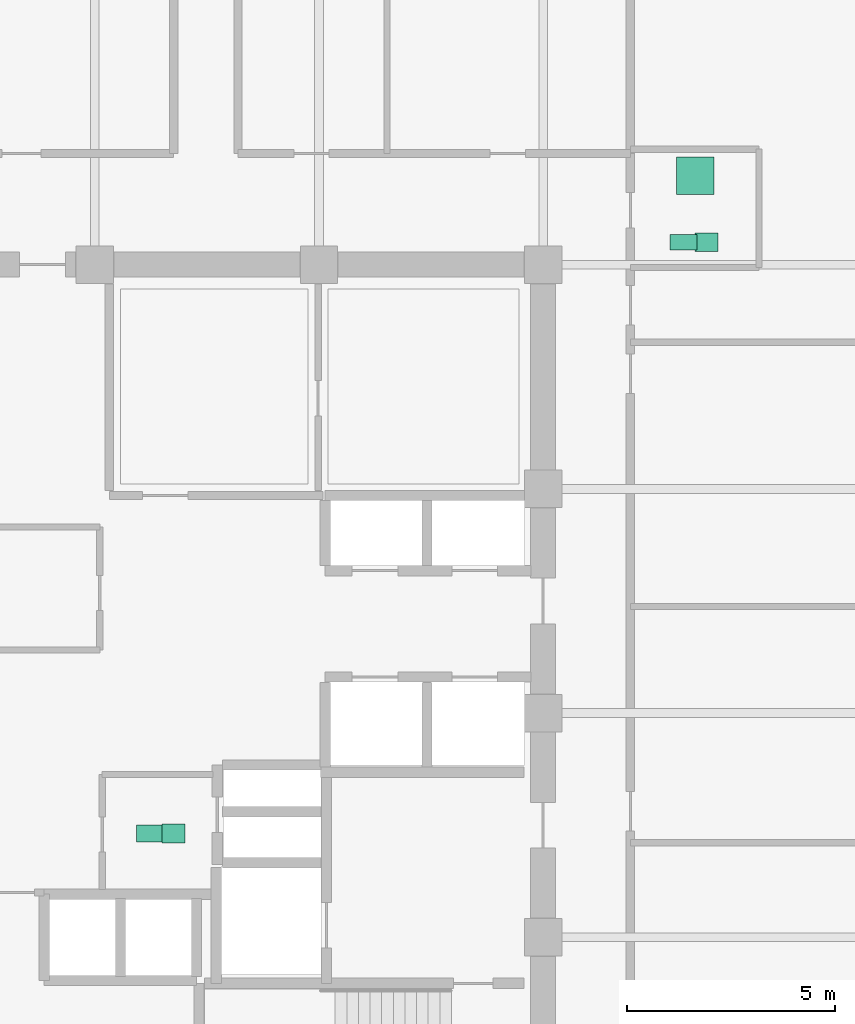
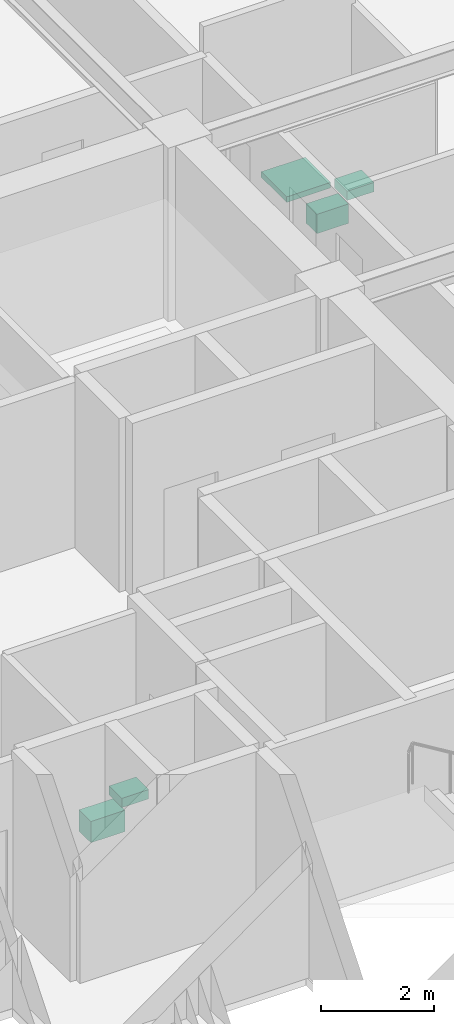
# One storey, part 30 of 30: 5 sanitary terminals.
"""IFC4 building model written with IfcOpenShell, lengths in metres."""

import ifcopenshell
import ifcopenshell.guid

model = None  # the IFC model being written
_history = None  # IfcOwnerHistory: only IFC2X3 demands one
_inside = {}  # id of a spatial element -> (the spatial element, [elements in it])
_under = {}  # id of a project, library or spatial element -> (it, [spatial elements below it])
_declared = {}  # id of a project -> (the project, [libraries it declares])
_typed = {}  # id of a type object -> (the type object, [elements of that type])
_made_of = {}  # id of a material, layer set ... -> (it, [elements and type objects made of it])


def new_model(schema):
    """Start an empty IFC model of exactly this schema.

    Asked for "IFC4X3", IfcOpenShell would pick the latest addendum, in which some entities
    have other attributes; the version numbers below select the first issue.
    IFC2X3 requires an IfcOwnerHistory on every rooted entity: one is made here for all.
    """
    global model, _history
    if schema == "IFC4X3":
        model = ifcopenshell.file(schema_version=(4, 3, 0, 0))
    else:
        model = ifcopenshell.file(schema=schema)
    _inside.clear()
    _under.clear()
    _declared.clear()
    _typed.clear()
    _made_of.clear()
    _history = None
    if model.schema == "IFC2X3":
        org = make("IfcOrganization", Name="unknown")
        user = make(
            "IfcPersonAndOrganization",
            ThePerson=make("IfcPerson", FamilyName="unknown"),
            TheOrganization=org,
        )
        app = make(
            "IfcApplication",
            ApplicationDeveloper=org,
            Version="unknown",
            ApplicationFullName="unknown",
            ApplicationIdentifier="unknown",
        )
        _history = make(
            "IfcOwnerHistory",
            OwningUser=user,
            OwningApplication=app,
            ChangeAction="ADDED",
            CreationDate=0,
        )
    return model


def make(cls, **values):
    """One entity of the class cls with the attributes given. An attribute that is None is left unset."""
    return model.create_entity(
        cls, **{name: value for name, value in values.items() if value is not None}
    )


def rooted(cls, **values):
    """An entity with a GlobalId (a new one), such as an element, a storey or a relation."""
    return make(cls, GlobalId=ifcopenshell.guid.new(), OwnerHistory=_history, **values)


def si_unit(unit_type, name, prefix=None):
    """IfcSIUnit, for example si_unit("LENGTHUNIT", "METRE", prefix="MILLI")."""
    return make("IfcSIUnit", UnitType=unit_type, Prefix=prefix, Name=name)


def assignment(units):
    """IfcUnitAssignment: the units of a project."""
    return None if units is None else make("IfcUnitAssignment", Units=units)


def point(xyz):
    """IfcCartesianPoint."""
    return None if xyz is None else make("IfcCartesianPoint", Coordinates=xyz)


def direction(xyz):
    """IfcDirection."""
    return None if xyz is None else make("IfcDirection", DirectionRatios=xyz)


def frame(location, z_axis=None, x_axis=None):
    """IfcAxis2Placement3D, a coordinate frame: its origin and axes. An axis left out is left unset."""
    return make(
        "IfcAxis2Placement3D",
        Location=point(location),
        Axis=direction(z_axis),
        RefDirection=direction(x_axis),
    )


def frame_2d(location, x_axis=None):
    """IfcAxis2Placement2D, a coordinate frame in the plane: its origin and x axis."""
    return make(
        "IfcAxis2Placement2D", Location=point(location), RefDirection=direction(x_axis)
    )


def origin():
    """The frame at (0, 0, 0) with its axes left unset."""
    return frame((0.0, 0.0, 0.0))


def origin_2d():
    """The frame at (0, 0) in the plane with its x axis left unset."""
    return frame_2d((0.0, 0.0))


def place(relative_to, where):
    """IfcLocalPlacement: puts the frame where relative to a parent placement (None: the world)."""
    return make(
        "IfcLocalPlacement", PlacementRelTo=relative_to, RelativePlacement=where
    )


def context(
    kind, dimensions, precision=None, world=None, true_north=None, identifier=None
):
    """IfcGeometricRepresentationContext, for example the 3D "Model" context."""
    return make(
        "IfcGeometricRepresentationContext",
        ContextIdentifier=identifier,
        ContextType=kind,
        CoordinateSpaceDimension=dimensions,
        Precision=precision,
        WorldCoordinateSystem=world,
        TrueNorth=true_north,
    )


def subcontext(parent, identifier, kind, view, scale=None):
    """IfcGeometricRepresentationSubContext, for example "Body" below "Model"."""
    return make(
        "IfcGeometricRepresentationSubContext",
        ContextIdentifier=identifier,
        ContextType=kind,
        ParentContext=parent,
        TargetScale=scale,
        TargetView=view,
    )


def project(units=None, contexts=None):
    """IfcProject with its units and contexts."""
    return rooted(
        "IfcProject",
        Name="project",
        RepresentationContexts=contexts,
        UnitsInContext=assignment(units),
    )


def spatial(cls, under=None, at=None, **own):
    """A site, building, storey or space (cls), placed at a placement, below another one or the project."""
    s = rooted(cls, ObjectPlacement=at, **own)
    if under is not None:
        _under.setdefault(under.id(), (under, []))[1].append(s)
    return s


def profile(cls, at=None, kind="AREA", **sizes):
    """A parametric profile (cls). Its sizes go by their IFC names, for example OverallWidth=200.0."""
    return make(cls, ProfileType=kind, Position=at, **sizes)


def rectangle(**sizes):
    """IfcRectangleProfileDef."""
    return profile("IfcRectangleProfileDef", **sizes)


def extrude(swept, where, along, depth):
    """IfcExtrudedAreaSolid: the profile swept, set in the frame where, extruded along a direction by depth."""
    return make(
        "IfcExtrudedAreaSolid",
        SweptArea=swept,
        Position=where,
        ExtrudedDirection=direction(along),
        Depth=depth,
    )


def shape(context_of_items, identifier, shape_type, items):
    """IfcShapeRepresentation: the items that make up one representation, for example the "Body"."""
    return make(
        "IfcShapeRepresentation",
        ContextOfItems=context_of_items,
        RepresentationIdentifier=identifier,
        RepresentationType=shape_type,
        Items=items,
    )


def material(Name=None, Category=None):
    """IfcMaterial."""
    return make("IfcMaterial", Name=Name, Category=Category)


def made_of(thing, what):
    """Note that an element or type object is made of a material, layer set ...; save() writes the relation."""
    if what is not None:
        _made_of.setdefault(what.id(), (what, []))[1].append(thing)
    return thing


def type_object(cls, material=None, **own):
    """A type object (cls), such as IfcWallType, which elements share."""
    return made_of(rooted(cls, **own), material)


def element(
    cls,
    number,
    at=None,
    inside=None,
    cuts=None,
    type_object=None,
    material=None,
    context=None,
    identifier="Body",
    shape_type=None,
    held_by="IfcProductDefinitionShape",
    body=None,
    shapes=None,
    **own,
):
    """One element of the class cls, such as IfcWall. Its Tag is "e" and its number.

    at: its placement. inside: the storey or other place that contains it. cuts: it is an
    opening in that element (IfcRelVoidsElement). A single representation is given by context,
    identifier, shape_type and body (its items); several are given by shapes. held_by: the class
    of the entity that holds the representations. save() writes the other relations.
    """
    e = rooted(cls, Tag="e%d" % number, ObjectPlacement=at, **own)
    if body is not None:
        shapes = [shape(context, identifier, shape_type, body)]
    if shapes is not None:
        e.Representation = make(held_by, Representations=shapes)
    if inside is not None:
        _inside.setdefault(inside.id(), (inside, []))[1].append(e)
    if cuts is not None:
        rooted(
            "IfcRelVoidsElement", RelatingBuildingElement=cuts, RelatedOpeningElement=e
        )
    if type_object is not None:
        _typed.setdefault(type_object.id(), (type_object, []))[1].append(e)
    return made_of(e, material)


def aggregate(whole, parts):
    """IfcRelAggregates: a whole, such as a stair, and the parts it consists of."""
    return rooted("IfcRelAggregates", RelatingObject=whole, RelatedObjects=parts)


def save(model, path):
    """Write the relations noted so far, then the file.

    IfcRelAggregates (storeys below a building ...), IfcRelContainedInSpatialStructure (elements
    in a storey), IfcRelDefinesByType, IfcRelAssociatesMaterial and IfcRelDeclares: one each for
    every whole, place, type object, material and project.
    """
    for whole, parts in _under.values():
        aggregate(whole, parts)
    for where, things in _inside.values():
        rooted(
            "IfcRelContainedInSpatialStructure",
            RelatedElements=things,
            RelatingStructure=where,
        )
    for kind, things in _typed.values():
        rooted("IfcRelDefinesByType", RelatedObjects=things, RelatingType=kind)
    for what, things in _made_of.values():
        rooted("IfcRelAssociatesMaterial", RelatedObjects=things, RelatingMaterial=what)
    for by, libraries in _declared.values():
        rooted("IfcRelDeclares", RelatingContext=by, RelatedDefinitions=libraries)
    model.write(path)


model = new_model("IFC4")

# Units and contexts
model_context = context("Model", 3, precision=1e-05, world=origin(), true_north=direction((0.0, 1.0)))
body_context = subcontext(model_context, "Body", "Model", "MODEL_VIEW")
ifc_project = project(units=[si_unit("LENGTHUNIT", "METRE"), si_unit("AREAUNIT", "SQUARE_METRE"), si_unit("VOLUMEUNIT", "CUBIC_METRE"), si_unit("PLANEANGLEUNIT", "RADIAN"), si_unit("MASSUNIT", "GRAM", prefix="KILO")], contexts=[model_context])

# Site, building, storey
site_placement = place(None, origin())
site = spatial("IfcSite", under=ifc_project, at=site_placement, CompositionType="ELEMENT")
building_placement = place(site_placement, origin())
building = spatial("IfcBuilding", under=site, at=building_placement, Name="Surkhivell Harbour Commons", CompositionType="ELEMENT")
storey_placement = place(building_placement, frame((0.0, 0.0, 231.0)))
storey = spatial("IfcBuildingStorey", under=building, at=storey_placement, Name="L60", CompositionType="ELEMENT", Elevation=231.0)

# Sanitary terminals
ifc_material_1 = material(Name="Vitreous china washbasin", Category="other")
sanitary_terminal_type_1 = type_object("IfcSanitaryTerminalType", Name="SAN-BSN", PredefinedType="WASHHANDBASIN", material=ifc_material_1)
for number, where, z_axis, x_axis, name in (
    (1, (1.89990234375, -2.89990234375, 0.72021484375), (0.0, 0.0, 1.0), (1.0, 0.0, 0.0), "L60 Core Accessible WC Washbasin"),
    (2, (14.72998046875, 11.340087890625, 0.72021484375), (0.0, 0.0, 1.0), (1.0, 0.0, 0.0), "L60 East Communal Bathroom WC Washbasin"),
):
    element("IfcSanitaryTerminal", number, at=place(storey_placement, frame(where, z_axis=z_axis, x_axis=x_axis)), inside=storey, type_object=sanitary_terminal_type_1, Name=name, PredefinedType="WASHHANDBASIN", context=body_context, shape_type="SweptSolid", body=[
        extrude(rectangle(XDim=0.550048828125, YDim=0.449951171875, at=origin_2d()), origin(), (0.0, 0.0, 1.0), 0.199951171875),
    ])
ifc_material_2 = material(Name="Glazed porcelain shower tray", Category="other")
sanitary_terminal_type_2 = type_object("IfcSanitaryTerminalType", Name="SAN-SHW", PredefinedType="SHOWER", material=ifc_material_2)
sanitary_terminal_1_placement = place(storey_placement, frame((14.4599609375, 12.93994140625, 0.0), z_axis=(0.0, 0.0, 1.0), x_axis=(1.0, 0.0, 0.0)))
element("IfcSanitaryTerminal", 3, at=sanitary_terminal_1_placement, inside=storey, type_object=sanitary_terminal_type_2, Name="L60 East Communal Shower Tray", PredefinedType="SHOWER", context=body_context, shape_type="SweptSolid", body=[
    extrude(rectangle(XDim=0.89990234375, YDim=0.89990234375, at=origin_2d()), origin(), (0.0, 0.0, 1.0), 0.1201171875),
])
ifc_material_3 = material(Name="Vitreous china sanitaryware", Category="other")
sanitary_terminal_type_3 = type_object("IfcSanitaryTerminalType", Name="SAN-WC-ACC", PredefinedType="TOILETPAN", material=ifc_material_3)
sanitary_terminal_2_placement = place(storey_placement, frame((1.35009765625, -2.89990234375, 0.169921875), z_axis=(0.0, 0.0, 1.0), x_axis=(1.0, 0.0, 0.0)))
element("IfcSanitaryTerminal", 4, at=sanitary_terminal_2_placement, inside=storey, type_object=sanitary_terminal_type_3, Name="L60 Core Accessible WC", PredefinedType="TOILETPAN", context=body_context, shape_type="SweptSolid", body=[
    extrude(rectangle(XDim=0.699951171875, YDim=0.419921875, at=origin_2d()), origin(), (0.0, 0.0, 1.0), 0.4599609375),
])
sanitary_terminal_type_4 = type_object("IfcSanitaryTerminalType", Name="SAN-WC-STD", PredefinedType="TOILETPAN", material=ifc_material_3)
sanitary_terminal_3_placement = place(storey_placement, frame((14.179931640625, 11.340087890625, 0.18994140625), z_axis=(0.0, 0.0, 1.0), x_axis=(1.0, 0.0, 0.0)))
element("IfcSanitaryTerminal", 5, at=sanitary_terminal_3_placement, inside=storey, type_object=sanitary_terminal_type_4, Name="L60 East Communal Bathroom WC", PredefinedType="TOILETPAN", context=body_context, shape_type="SweptSolid", body=[
    extrude(rectangle(XDim=0.64990234375, YDim=0.3798828125, at=origin_2d()), origin(), (0.0, 0.0, 1.0), 0.419921875),
])

save(model, "model.ifc")
